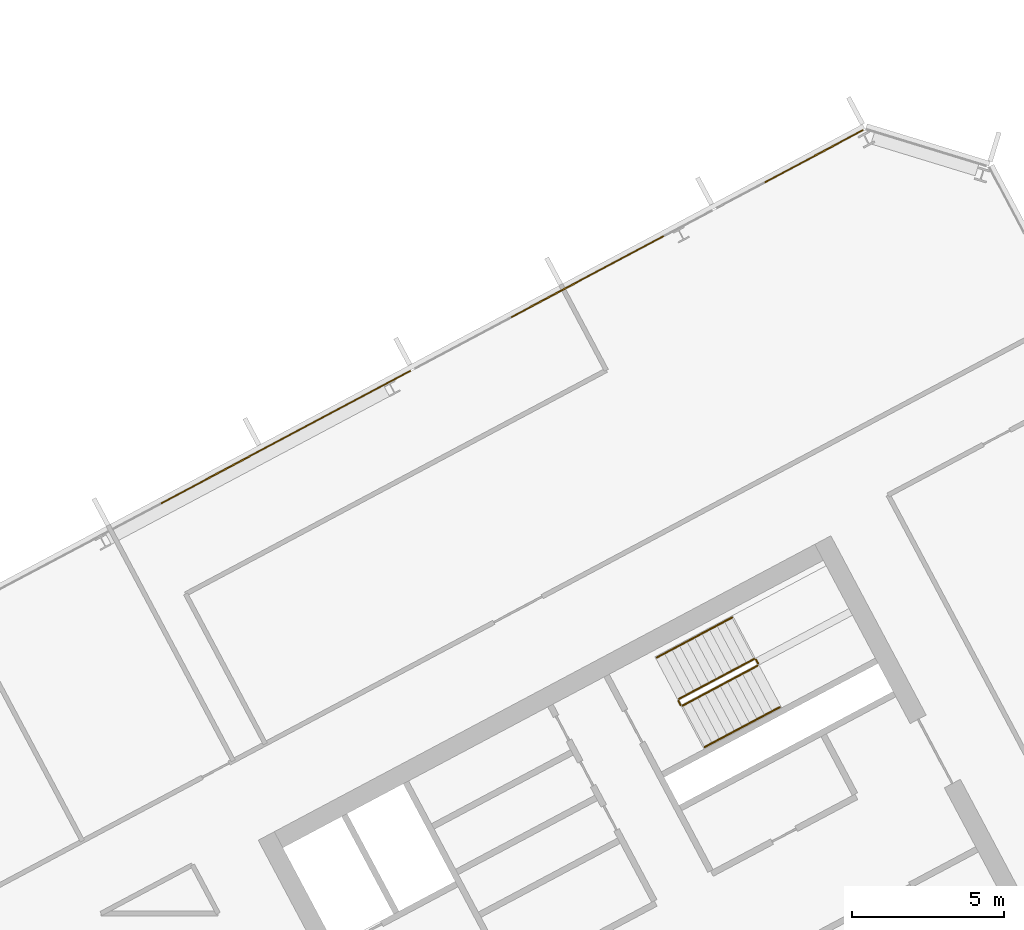
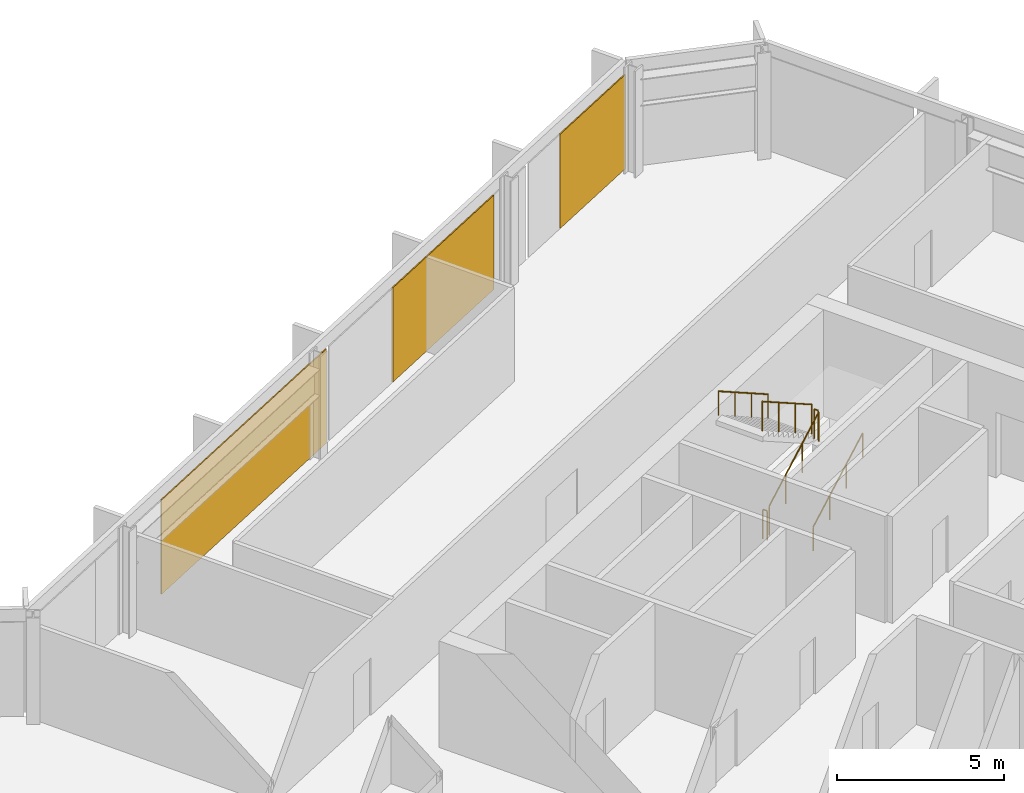
# One storey, part 25 of 26: 6 railings, 3 coverings, 1 element without a shape of its own.
"""IFC4 building model written with IfcOpenShell, lengths in metres."""

from ifc_helpers import new_model, si_unit, direction, frame, origin, origin_2d, place, context, subcontext, project, spatial, polyline, rectangle, outline, extrude, material, layer, layer_set, type_object, element, aggregate, save


model = new_model("IFC4")

# Units and contexts
model_context = context("Model", 3, precision=1e-05, world=origin(), true_north=direction((0.0, 1.0)))
body_context = subcontext(model_context, "Body", "Model", "MODEL_VIEW")
ifc_project = project(units=[si_unit("LENGTHUNIT", "METRE"), si_unit("AREAUNIT", "SQUARE_METRE"), si_unit("VOLUMEUNIT", "CUBIC_METRE"), si_unit("PLANEANGLEUNIT", "RADIAN"), si_unit("MASSUNIT", "GRAM", prefix="KILO")], contexts=[model_context])

# Site, building, storey
site_placement = place(None, origin())
site = spatial("IfcSite", under=ifc_project, at=site_placement, CompositionType="ELEMENT")
building_placement = place(site_placement, origin())
building = spatial("IfcBuilding", under=site, at=building_placement, Name="Cormorant Relay Tower", CompositionType="ELEMENT")
storey_placement = place(building_placement, frame((0.0, 0.0, 248.10009765625)))
storey = spatial("IfcBuildingStorey", under=building, at=storey_placement, Name="L55", CompositionType="ELEMENT", Elevation=248.10009765625)

# Curtain wall, coverings
ifc_material_1 = material(Name="Aluminium 6063-T6 anodised bronze", Category="aluminium")
ifc_layer_1 = layer(ifc_material_1, 0.199951171875)
ifc_layer_set_1 = layer_set([ifc_layer_1], Name="CW1 unitised bronze curtain wall with vertical fins")
curtain_wall_type = type_object("IfcCurtainWallType", Name="CW1 unitised bronze curtain wall with vertical fins", PredefinedType="NOTDEFINED", material=ifc_layer_set_1)
curtain_wall_placement = place(storey_placement, origin())
curtain_wall = element("IfcCurtainWall", 1, at=curtain_wall_placement, inside=storey, type_object=curtain_wall_type, Name="CW1 curtain wall 8", PredefinedType="NOTDEFINED")
ifc_material_2 = material(Name="Pale bronze anodised aluminium insulated panel", Category="aluminium")
ifc_layer_2 = layer(ifc_material_2, 0.0400390625)
ifc_layer_set_2 = layer_set([ifc_layer_2], Name="CW1 pale bronze insulated panel 40")
covering_type = type_object("IfcCoveringType", Name="CW1 pale bronze insulated panel 40", PredefinedType="CLADDING", material=ifc_layer_set_2)
covering_1_placement = place(storey_placement, frame((28.16943359375, 38.78466796875, 0.0), z_axis=(0.0, 0.0, 1.0), x_axis=(-0.882947592859, -0.469471562786, 0.0)))
covering_1 = element("IfcCovering", 2, at=covering_1_placement, type_object=covering_type, Name="CW1 panel S00", PredefinedType="CLADDING", context=body_context, shape_type="SweptSolid", body=[
    extrude(rectangle(XDim=3.68896484375, YDim=0.0400390625, at=origin_2d()), origin(), (0.0, 0.0, 1.0), 3.449951171875),
])
covering_2_placement = place(storey_placement, frame((20.701171875, 34.813720703125, 0.0), z_axis=(0.0, 0.0, 1.0), x_axis=(-0.882947592859, -0.469471562786, 0.0)))
covering_2 = element("IfcCovering", 3, at=covering_2_placement, type_object=covering_type, Name="CW1 panel S03", PredefinedType="CLADDING", context=body_context, shape_type="SweptSolid", body=[
    extrude(rectangle(XDim=5.72802734375, YDim=0.0400390625, at=origin_2d()), origin(), (0.0, 0.0, 1.0), 3.449951171875),
])
covering_3_placement = place(storey_placement, frame((10.7431640625, 29.518798828125, 0.0), z_axis=(0.0, 0.0, 1.0), x_axis=(-0.882947592859, -0.469471562786, 0.0)))
covering_3 = element("IfcCovering", 4, at=covering_3_placement, type_object=covering_type, Name="CW1 panel S05", PredefinedType="CLADDING", context=body_context, shape_type="SweptSolid", body=[
    extrude(rectangle(XDim=9.327880859375, YDim=0.0400390625, at=origin_2d()), origin(), (0.0, 0.0, 1.0), 3.449951171875),
])
aggregate(curtain_wall, [covering_1, covering_2, covering_3])

# Railings
ifc_material_3 = material(Name="Steel ASTM A572 Grade 50 (Fy 345 MPa)", Category="steel")
railing_type_1 = type_object("IfcRailingType", Name="Stair guard 1100", PredefinedType="GUARDRAIL", material=ifc_material_3)
railing_1_placement = place(storey_placement, frame((23.8408203125, 20.6611328125, 0.17724609375)))
element("IfcRailing", 5, at=railing_1_placement, inside=storey, type_object=railing_type_1, Name="L55 B2 stair guard 1", PredefinedType="GUARDRAIL", context=body_context, shape_type="SweptSolid", body=[
    extrude(outline(polyline([(0.022216796875, 0.00927734375), (0.00927734375, 0.022216796875), (-0.00927734375, 0.022216796875), (-0.022216796875, 0.00927734375), (-0.022216796875, -0.00927734375), (-0.00927734375, -0.022216796875), (0.00927734375, -0.022216796875), (0.022216796875, -0.00927734375), (0.022216796875, 0.00927734375)])), frame((0.0, 0.0, 1.076171875), z_axis=(0.746033882577, 0.396627473466, 0.534901947407), x_axis=(-0.469429322983, 0.882970050864, 0.0)), (0.0, 0.0, 1.0), 3.31396484375),
    extrude(outline(polyline([(0.019287109375, 0.008056640625), (0.008056640625, 0.019287109375), (-0.008056640625, 0.019287109375), (-0.019287109375, 0.008056640625), (-0.019287109375, -0.008056640625), (-0.008056640625, -0.019287109375), (0.008056640625, -0.019287109375), (0.019287109375, -0.008056640625), (0.019287109375, 0.008056640625)])), origin(), (0.0, 0.0, 1.0), 1.052001953125),
    extrude(outline(polyline([(0.019287109375, 0.008056640625), (0.008056640625, 0.019287109375), (-0.008056640625, 0.019287109375), (-0.019287109375, 0.008056640625), (-0.019287109375, -0.008056640625), (-0.008056640625, -0.019287109375), (0.008056640625, -0.019287109375), (0.019287109375, -0.008056640625), (0.019287109375, 0.008056640625)])), frame((0.82421875, 0.438232421875, 0.5908203125)), (0.0, 0.0, 1.0), 1.052001953125),
    extrude(outline(polyline([(0.019287109375, 0.008056640625), (0.008056640625, 0.019287109375), (-0.008056640625, 0.019287109375), (-0.019287109375, 0.008056640625), (-0.019287109375, -0.008056640625), (-0.008056640625, -0.019287109375), (0.008056640625, -0.019287109375), (0.019287109375, -0.008056640625), (0.019287109375, 0.008056640625)])), frame((1.648193359375, 0.876220703125, 1.181884765625)), (0.0, 0.0, 1.0), 1.052001953125),
    extrude(outline(polyline([(0.019287109375, 0.008056640625), (0.008056640625, 0.019287109375), (-0.008056640625, 0.019287109375), (-0.019287109375, 0.008056640625), (-0.019287109375, -0.008056640625), (-0.008056640625, -0.019287109375), (0.008056640625, -0.019287109375), (0.019287109375, -0.008056640625), (0.019287109375, 0.008056640625)])), frame((2.472412109375, 1.314453125, 1.772705078125)), (0.0, 0.0, 1.0), 1.052001953125),
])
railing_2_placement = place(storey_placement, frame((26.333740234375, 22.043212890625, 1.949951171875)))
element("IfcRailing", 6, at=railing_2_placement, inside=storey, type_object=railing_type_1, Name="L55 B2 stair guard 2", PredefinedType="GUARDRAIL", context=body_context, shape_type="SweptSolid", body=[
    extrude(outline(polyline([(0.022216796875, 0.00927734375), (0.00927734375, 0.022216796875), (-0.00927734375, 0.022216796875), (-0.022216796875, 0.00927734375), (-0.022216796875, -0.00927734375), (-0.00927734375, -0.022216796875), (0.00927734375, -0.022216796875), (0.022216796875, -0.00927734375), (0.022216796875, 0.00927734375)])), frame((0.0, 0.0, 1.076171875), z_axis=(-0.469234640946, 0.883073525669, 0.0), x_axis=(-0.883073525669, -0.469234640946, 0.0)), (0.0, 0.0, 1.0), 0.14990234375),
    extrude(outline(polyline([(0.019287109375, 0.008056640625), (0.008056640625, 0.019287109375), (-0.008056640625, 0.019287109375), (-0.019287109375, 0.008056640625), (-0.019287109375, -0.008056640625), (-0.008056640625, -0.019287109375), (0.008056640625, -0.019287109375), (0.019287109375, -0.008056640625), (0.019287109375, 0.008056640625)])), origin(), (0.0, 0.0, 1.0), 1.052001953125),
    extrude(outline(polyline([(0.019287109375, 0.008056640625), (0.008056640625, 0.019287109375), (-0.008056640625, 0.019287109375), (-0.019287109375, 0.008056640625), (-0.019287109375, -0.008056640625), (-0.008056640625, -0.019287109375), (0.008056640625, -0.019287109375), (0.019287109375, -0.008056640625), (0.019287109375, 0.008056640625)])), frame((-0.0703125, 0.13232421875, 0.0)), (0.0, 0.0, 1.0), 1.052001953125),
])
railing_3_placement = place(storey_placement, frame((26.19580078125, 22.1962890625, 2.127197265625)))
element("IfcRailing", 7, at=railing_3_placement, inside=storey, type_object=railing_type_1, Name="L55 B2 stair guard 3", PredefinedType="GUARDRAIL", context=body_context, shape_type="SweptSolid", body=[
    extrude(outline(polyline([(0.022216796875, 0.00927734375), (0.00927734375, 0.022216796875), (-0.00927734375, 0.022216796875), (-0.022216796875, 0.00927734375), (-0.022216796875, -0.00927734375), (-0.00927734375, -0.022216796875), (0.00927734375, -0.022216796875), (0.022216796875, -0.00927734375), (0.022216796875, 0.00927734375)])), frame((0.0, 0.0, 1.076171875), z_axis=(-0.746033882577, -0.396627473466, 0.534901947407), x_axis=(0.469429322983, -0.882970050864, 0.0)), (0.0, 0.0, 1.0), 3.31396484375),
    extrude(outline(polyline([(0.019287109375, 0.008056640625), (0.008056640625, 0.019287109375), (-0.008056640625, 0.019287109375), (-0.019287109375, 0.008056640625), (-0.019287109375, -0.008056640625), (-0.008056640625, -0.019287109375), (0.008056640625, -0.019287109375), (0.019287109375, -0.008056640625), (0.019287109375, 0.008056640625)])), origin(), (0.0, 0.0, 1.0), 1.052001953125),
    extrude(outline(polyline([(0.019287109375, 0.008056640625), (0.008056640625, 0.019287109375), (-0.008056640625, 0.019287109375), (-0.019287109375, 0.008056640625), (-0.019287109375, -0.008056640625), (-0.008056640625, -0.019287109375), (0.008056640625, -0.019287109375), (0.019287109375, -0.008056640625), (0.019287109375, 0.008056640625)])), frame((-0.82421875, -0.438232421875, 0.5908203125)), (0.0, 0.0, 1.0), 1.052001953125),
    extrude(outline(polyline([(0.019287109375, 0.008056640625), (0.008056640625, 0.019287109375), (-0.008056640625, 0.019287109375), (-0.019287109375, 0.008056640625), (-0.019287109375, -0.008056640625), (-0.008056640625, -0.019287109375), (0.008056640625, -0.019287109375), (0.019287109375, -0.008056640625), (0.019287109375, 0.008056640625)])), frame((-1.648193359375, -0.876220703125, 1.181884765625)), (0.0, 0.0, 1.0), 1.052001953125),
    extrude(outline(polyline([(0.019287109375, 0.008056640625), (0.008056640625, 0.019287109375), (-0.008056640625, 0.019287109375), (-0.019287109375, 0.008056640625), (-0.019287109375, -0.008056640625), (-0.008056640625, -0.019287109375), (0.008056640625, -0.019287109375), (0.019287109375, -0.008056640625), (0.019287109375, 0.008056640625)])), frame((-2.472412109375, -1.314453125, 1.772705078125)), (0.0, 0.0, 1.0), 1.052001953125),
])
railing_4_placement = place(storey_placement, frame((23.773193359375, 20.681640625, 0.0)))
element("IfcRailing", 8, at=railing_4_placement, inside=storey, type_object=railing_type_1, Name="L55 B2 stair guard 4", PredefinedType="GUARDRAIL", context=body_context, shape_type="SweptSolid", body=[
    extrude(outline(polyline([(0.022216796875, 0.00927734375), (0.00927734375, 0.022216796875), (-0.00927734375, 0.022216796875), (-0.022216796875, 0.00927734375), (-0.022216796875, -0.00927734375), (-0.00927734375, -0.022216796875), (0.00927734375, -0.022216796875), (0.022216796875, -0.00927734375), (0.022216796875, 0.00927734375)])), frame((0.0, 0.0, 1.076171875), z_axis=(-0.46856034887, 0.8834314911, 0.0), x_axis=(-0.8834314911, -0.46856034887, 0.0)), (0.0, 0.0, 1.0), 0.150146484375),
    extrude(outline(polyline([(0.019287109375, 0.008056640625), (0.008056640625, 0.019287109375), (-0.008056640625, 0.019287109375), (-0.019287109375, 0.008056640625), (-0.019287109375, -0.008056640625), (-0.008056640625, -0.019287109375), (0.008056640625, -0.019287109375), (0.019287109375, -0.008056640625), (0.019287109375, 0.008056640625)])), origin(), (0.0, 0.0, 1.0), 1.052001953125),
    extrude(outline(polyline([(0.019287109375, 0.008056640625), (0.008056640625, 0.019287109375), (-0.008056640625, 0.019287109375), (-0.019287109375, 0.008056640625), (-0.019287109375, -0.008056640625), (-0.008056640625, -0.019287109375), (0.008056640625, -0.019287109375), (0.019287109375, -0.008056640625), (0.019287109375, 0.008056640625)])), frame((-0.0703125, 0.132568359375, 0.0)), (0.0, 0.0, 1.0), 1.052001953125),
])
ifc_material_4 = material(Name="Steel ASTM A572 Grade 50 (Fy 345 MPa)", Category="steel")
railing_type_2 = type_object("IfcRailingType", Name="Stair handrail 900", PredefinedType="HANDRAIL", material=ifc_material_4)
railing_5_placement = place(storey_placement, frame((24.568603515625, 19.29248046875, 0.17724609375)))
element("IfcRailing", 9, at=railing_5_placement, inside=storey, type_object=railing_type_2, Name="L55 B2 stair handrail 1", PredefinedType="HANDRAIL", context=body_context, shape_type="SweptSolid", body=[
    extrude(outline(polyline([(0.022216796875, 0.00927734375), (0.00927734375, 0.022216796875), (-0.00927734375, 0.022216796875), (-0.022216796875, 0.00927734375), (-0.022216796875, -0.00927734375), (-0.00927734375, -0.022216796875), (0.00927734375, -0.022216796875), (0.022216796875, -0.00927734375), (0.022216796875, 0.00927734375)])), frame((0.0, 0.0, 0.8759765625), z_axis=(0.746001213114, 0.396649272309, 0.534931345884), x_axis=(-0.469465464807, 0.882950835185, 0.0)), (0.0, 0.0, 1.0), 3.31396484375),
    extrude(outline(polyline([(0.019287109375, 0.008056640625), (0.008056640625, 0.019287109375), (-0.008056640625, 0.019287109375), (-0.019287109375, 0.008056640625), (-0.019287109375, -0.008056640625), (-0.008056640625, -0.019287109375), (0.008056640625, -0.019287109375), (0.019287109375, -0.008056640625), (0.019287109375, 0.008056640625)])), origin(), (0.0, 0.0, 1.0), 0.851806640625),
    extrude(outline(polyline([(0.019287109375, 0.008056640625), (0.008056640625, 0.019287109375), (-0.008056640625, 0.019287109375), (-0.019287109375, 0.008056640625), (-0.019287109375, -0.008056640625), (-0.008056640625, -0.019287109375), (0.008056640625, -0.019287109375), (0.019287109375, -0.008056640625), (0.019287109375, 0.008056640625)])), frame((0.823974609375, 0.438232421875, 0.5908203125)), (0.0, 0.0, 1.0), 0.851806640625),
    extrude(outline(polyline([(0.019287109375, 0.008056640625), (0.008056640625, 0.019287109375), (-0.008056640625, 0.019287109375), (-0.019287109375, 0.008056640625), (-0.019287109375, -0.008056640625), (-0.008056640625, -0.019287109375), (0.008056640625, -0.019287109375), (0.019287109375, -0.008056640625), (0.019287109375, 0.008056640625)])), frame((1.648193359375, 0.876220703125, 1.181884765625)), (0.0, 0.0, 1.0), 0.851806640625),
    extrude(outline(polyline([(0.019287109375, 0.008056640625), (0.008056640625, 0.019287109375), (-0.008056640625, 0.019287109375), (-0.019287109375, 0.008056640625), (-0.019287109375, -0.008056640625), (-0.008056640625, -0.019287109375), (0.008056640625, -0.019287109375), (0.019287109375, -0.008056640625), (0.019287109375, 0.008056640625)])), frame((2.47216796875, 1.314453125, 1.772705078125)), (0.0, 0.0, 1.0), 0.851806640625),
])
railing_6_placement = place(storey_placement, frame((25.468017578125, 23.56494140625, 2.127197265625)))
element("IfcRailing", 10, at=railing_6_placement, inside=storey, type_object=railing_type_2, Name="L55 B2 stair handrail 2", PredefinedType="HANDRAIL", context=body_context, shape_type="SweptSolid", body=[
    extrude(outline(polyline([(0.022216796875, 0.00927734375), (0.00927734375, 0.022216796875), (-0.00927734375, 0.022216796875), (-0.022216796875, 0.00927734375), (-0.022216796875, -0.00927734375), (-0.00927734375, -0.022216796875), (0.00927734375, -0.022216796875), (0.022216796875, -0.00927734375), (0.022216796875, 0.00927734375)])), frame((0.0, 0.0, 0.8759765625), z_axis=(-0.745979412481, -0.396711350603, 0.534915713414), x_axis=(0.469533439143, -0.882914689835, 0.0)), (0.0, 0.0, 1.0), 3.31396484375),
    extrude(outline(polyline([(0.019287109375, 0.008056640625), (0.008056640625, 0.019287109375), (-0.008056640625, 0.019287109375), (-0.019287109375, 0.008056640625), (-0.019287109375, -0.008056640625), (-0.008056640625, -0.019287109375), (0.008056640625, -0.019287109375), (0.019287109375, -0.008056640625), (0.019287109375, 0.008056640625)])), origin(), (0.0, 0.0, 1.0), 0.851806640625),
    extrude(outline(polyline([(0.019287109375, 0.008056640625), (0.008056640625, 0.019287109375), (-0.008056640625, 0.019287109375), (-0.019287109375, 0.008056640625), (-0.019287109375, -0.008056640625), (-0.008056640625, -0.019287109375), (0.008056640625, -0.019287109375), (0.019287109375, -0.008056640625), (0.019287109375, 0.008056640625)])), frame((-0.823974609375, -0.438232421875, 0.5908203125)), (0.0, 0.0, 1.0), 0.851806640625),
    extrude(outline(polyline([(0.019287109375, 0.008056640625), (0.008056640625, 0.019287109375), (-0.008056640625, 0.019287109375), (-0.019287109375, 0.008056640625), (-0.019287109375, -0.008056640625), (-0.008056640625, -0.019287109375), (0.008056640625, -0.019287109375), (0.019287109375, -0.008056640625), (0.019287109375, 0.008056640625)])), frame((-1.648193359375, -0.87646484375, 1.181884765625)), (0.0, 0.0, 1.0), 0.851806640625),
    extrude(outline(polyline([(0.019287109375, 0.008056640625), (0.008056640625, 0.019287109375), (-0.008056640625, 0.019287109375), (-0.019287109375, 0.008056640625), (-0.019287109375, -0.008056640625), (-0.008056640625, -0.019287109375), (0.008056640625, -0.019287109375), (0.019287109375, -0.008056640625), (0.019287109375, 0.008056640625)])), frame((-2.47216796875, -1.314697265625, 1.772705078125)), (0.0, 0.0, 1.0), 0.851806640625),
])

save(model, "model.ifc")
